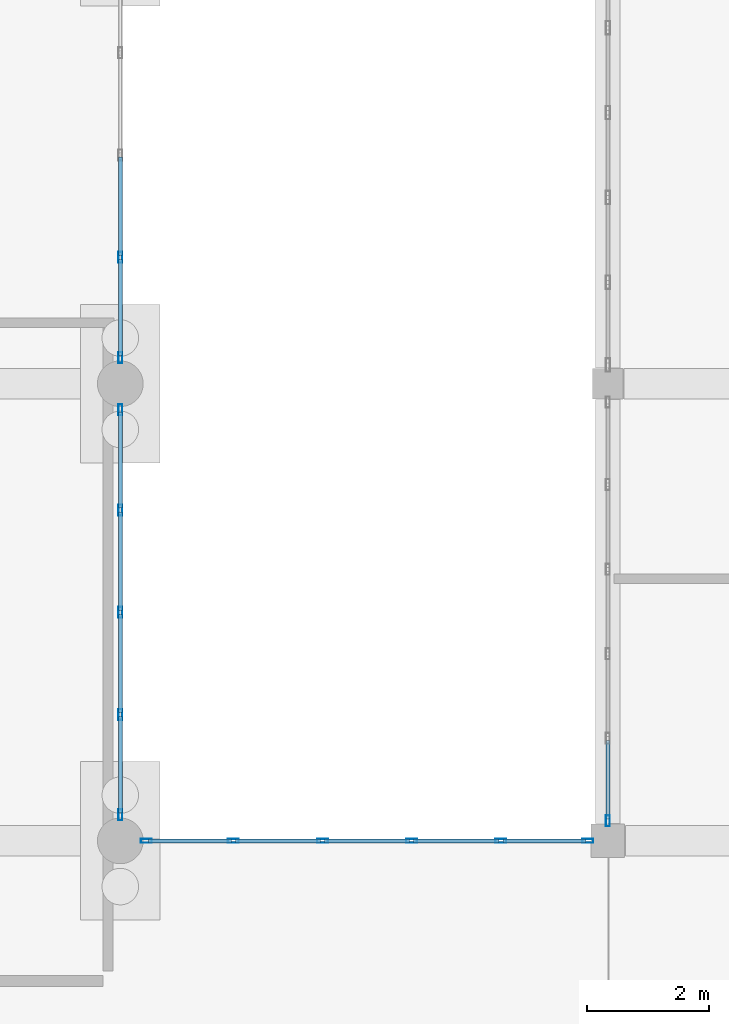
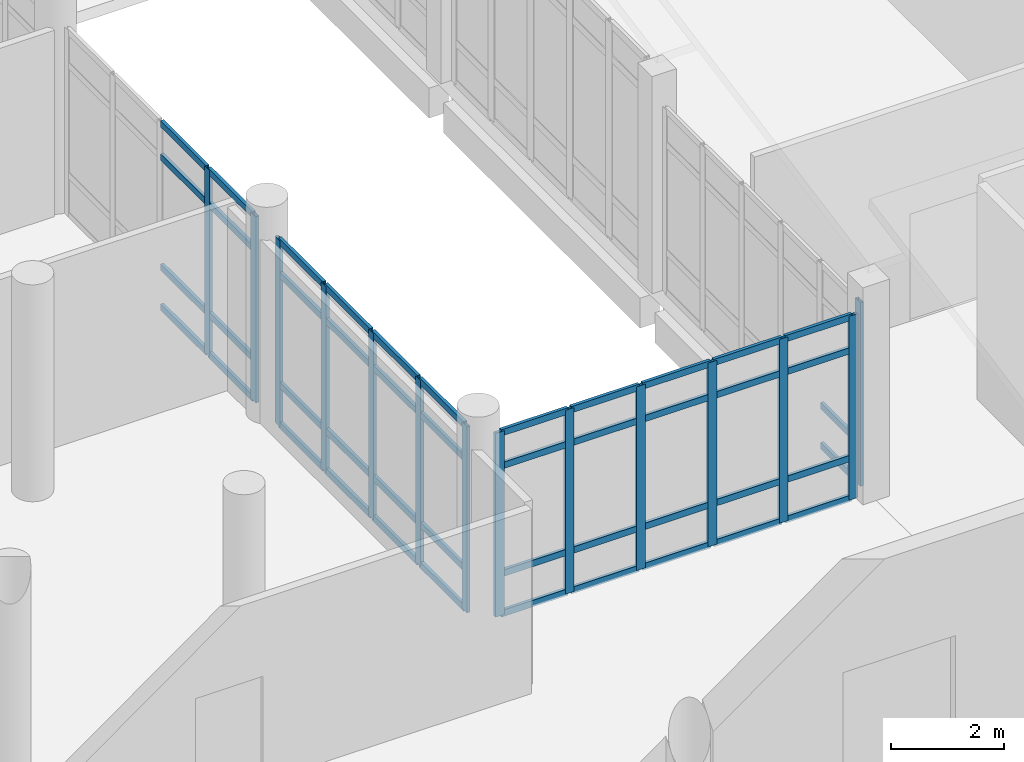
# One storey, part 54 of 173: 60 members, 4 elements without a shape of their own.
"""IFC4 building model written with IfcOpenShell, lengths in metres."""

from ifc_helpers import new_model, si_unit, direction, frame, origin, origin_2d, place, context, subcontext, project, spatial, hollow_rectangle, extrude, material, layer, layer_set, material_profile, profile_set, type_object, element, aggregate, save


model = new_model("IFC4")

# Units and contexts
model_context = context("Model", 3, precision=1e-05, world=origin(), true_north=direction((0.0, 1.0)))
body_context = subcontext(model_context, "Body", "Model", "MODEL_VIEW")
ifc_project = project(units=[si_unit("LENGTHUNIT", "METRE"), si_unit("AREAUNIT", "SQUARE_METRE"), si_unit("VOLUMEUNIT", "CUBIC_METRE"), si_unit("PLANEANGLEUNIT", "RADIAN"), si_unit("MASSUNIT", "GRAM", prefix="KILO")], contexts=[model_context])

# Site, building, storey
site_placement = place(None, origin())
site = spatial("IfcSite", under=ifc_project, at=site_placement, CompositionType="ELEMENT")
building_placement = place(site_placement, origin())
building = spatial("IfcBuilding", under=site, at=building_placement, Name="Mawjan Specialist Oncology Clinic", CompositionType="ELEMENT")
storey_placement = place(building_placement, origin())
storey = spatial("IfcBuildingStorey", under=building, at=storey_placement, Name="L00", CompositionType="ELEMENT", Elevation=0.0)

# Curtain wall, member
ifc_material_1 = material(Name="Unitised spectrally selective aluminium curtain wall", Category="aluminium")
ifc_layer_1 = layer(ifc_material_1, 0.179931640625, Name="Unitised spectrally selective aluminium curtain wall", Category="aluminium")
ifc_layer_set_1 = layer_set([ifc_layer_1], Name="Unitised spectrally selective aluminium curtain wall")
curtain_wall_type_1 = type_object("IfcCurtainWallType", Name="CW-30", PredefinedType="NOTDEFINED", material=ifc_layer_set_1)
curtain_wall_1_placement = place(storey_placement, origin())
curtain_wall_1 = element("IfcCurtainWall", 1, at=curtain_wall_1_placement, inside=storey, type_object=curtain_wall_type_1, Name="L00 Unitised Curtain Wall CW-L00-064", PredefinedType="NOTDEFINED")
ifc_material_2 = material(Name="Thermally broken aluminium 6063-T6", Category="aluminium")
ifc_material_profile_1 = material_profile(ifc_material_2, hollow_rectangle(XDim=0.06494140625, YDim=0.179931640625, WallThickness=0.00390625, at=origin_2d()), Name="ALU MULLION 180x65x4", Category="aluminium")
ifc_profile_set_1 = profile_set([ifc_material_profile_1], Name="Thermally broken aluminium 6063-T6")
member_type_1 = type_object("IfcMemberType", Name="CW-M180", PredefinedType="MULLION", material=ifc_profile_set_1)
member_1_placement = place(storey_placement, frame((116.0, 53.62744140625, 0.0), z_axis=(0.0, 0.0, 1.0), x_axis=(-1.0, 0.0, 0.0)))
member_1 = element("IfcMember", 2, at=member_1_placement, type_object=member_type_1, Name="CW-30 mullion 1", PredefinedType="MULLION", context=body_context, shape_type="SweptSolid", body=[
    extrude(hollow_rectangle(XDim=0.06494140625, YDim=0.179931640625, WallThickness=0.00390625, at=origin_2d()), origin(), (0.0, 0.0, 1.0), 3.985107421875),
])

# Curtain wall, members
ifc_material_3 = material(Name="Unitised spectrally selective aluminium curtain wall", Category="aluminium")
ifc_layer_2 = layer(ifc_material_3, 0.179931640625, Name="Unitised spectrally selective aluminium curtain wall", Category="aluminium")
ifc_layer_set_2 = layer_set([ifc_layer_2], Name="Unitised spectrally selective aluminium curtain wall")
curtain_wall_type_2 = type_object("IfcCurtainWallType", Name="CW-02", PredefinedType="NOTDEFINED", material=ifc_layer_set_2)
curtain_wall_2_placement = place(storey_placement, origin())
curtain_wall_2 = element("IfcCurtainWall", 3, at=curtain_wall_2_placement, inside=storey, type_object=curtain_wall_type_2, Name="L00 Unitised Curtain Wall CW-L00-068", PredefinedType="NOTDEFINED")
member_2_placement = place(storey_placement, frame((108.0, 62.87255859375, 0.0), z_axis=(0.0, 0.0, 1.0), x_axis=(1.0, 0.0, 0.0)))
member_2 = element("IfcMember", 4, at=member_2_placement, type_object=member_type_1, Name="CW-02 mullion 4", PredefinedType="MULLION", context=body_context, shape_type="SweptSolid", body=[
    extrude(hollow_rectangle(XDim=0.06494140625, YDim=0.179931640625, WallThickness=0.00390625, at=origin_2d()), origin(), (0.0, 0.0, 1.0), 4.034912109375),
])
member_3_placement = place(storey_placement, frame((108.0, 61.2275390625, 0.0), z_axis=(0.0, 0.0, 1.0), x_axis=(1.0, 0.0, 0.0)))
member_3 = element("IfcMember", 5, at=member_3_placement, type_object=member_type_1, Name="CW-02 mullion 5", PredefinedType="MULLION", context=body_context, shape_type="SweptSolid", body=[
    extrude(hollow_rectangle(XDim=0.06494140625, YDim=0.179931640625, WallThickness=0.00390625, at=origin_2d()), origin(), (0.0, 0.0, 1.0), 4.034912109375),
])

curtain_wall_3_placement = place(storey_placement, origin())
curtain_wall_3 = element("IfcCurtainWall", 6, at=curtain_wall_3_placement, inside=storey, type_object=curtain_wall_type_2, Name="L00 Unitised Curtain Wall CW-L00-069", PredefinedType="NOTDEFINED")
member_4_placement = place(storey_placement, frame((108.0, 60.37255859375, 0.0), z_axis=(0.0, 0.0, 1.0), x_axis=(1.0, 0.0, 0.0)))
member_4 = element("IfcMember", 7, at=member_4_placement, type_object=member_type_1, Name="CW-02 mullion 1", PredefinedType="MULLION", context=body_context, shape_type="SweptSolid", body=[
    extrude(hollow_rectangle(XDim=0.06494140625, YDim=0.179931640625, WallThickness=0.00390625, at=origin_2d()), origin(), (0.0, 0.0, 1.0), 4.034912109375),
])
member_5_placement = place(storey_placement, frame((108.0, 58.7275390625, 0.0), z_axis=(0.0, 0.0, 1.0), x_axis=(1.0, 0.0, 0.0)))
member_5 = element("IfcMember", 8, at=member_5_placement, type_object=member_type_1, Name="CW-02 mullion 2", PredefinedType="MULLION", context=body_context, shape_type="SweptSolid", body=[
    extrude(hollow_rectangle(XDim=0.06494140625, YDim=0.179931640625, WallThickness=0.00390625, at=origin_2d()), origin(), (0.0, 0.0, 1.0), 4.034912109375),
])
member_6_placement = place(storey_placement, frame((108.0, 57.050048828125, 0.0), z_axis=(0.0, 0.0, 1.0), x_axis=(1.0, 0.0, 0.0)))
member_6 = element("IfcMember", 9, at=member_6_placement, type_object=member_type_1, Name="CW-02 mullion 3", PredefinedType="MULLION", context=body_context, shape_type="SweptSolid", body=[
    extrude(hollow_rectangle(XDim=0.06494140625, YDim=0.179931640625, WallThickness=0.00390625, at=origin_2d()), origin(), (0.0, 0.0, 1.0), 4.034912109375),
])
member_7_placement = place(storey_placement, frame((108.0, 55.37255859375, 0.0), z_axis=(0.0, 0.0, 1.0), x_axis=(1.0, 0.0, 0.0)))
member_7 = element("IfcMember", 10, at=member_7_placement, type_object=member_type_1, Name="CW-02 mullion 4", PredefinedType="MULLION", context=body_context, shape_type="SweptSolid", body=[
    extrude(hollow_rectangle(XDim=0.06494140625, YDim=0.179931640625, WallThickness=0.00390625, at=origin_2d()), origin(), (0.0, 0.0, 1.0), 4.034912109375),
])
member_8_placement = place(storey_placement, frame((108.0, 53.7275390625, 0.0), z_axis=(0.0, 0.0, 1.0), x_axis=(1.0, 0.0, 0.0)))
member_8 = element("IfcMember", 11, at=member_8_placement, type_object=member_type_1, Name="CW-02 mullion 5", PredefinedType="MULLION", context=body_context, shape_type="SweptSolid", body=[
    extrude(hollow_rectangle(XDim=0.06494140625, YDim=0.179931640625, WallThickness=0.00390625, at=origin_2d()), origin(), (0.0, 0.0, 1.0), 4.034912109375),
])

ifc_material_4 = material(Name="Unitised spectrally selective aluminium curtain wall", Category="aluminium")
ifc_layer_3 = layer(ifc_material_4, 0.179931640625, Name="Unitised spectrally selective aluminium curtain wall", Category="aluminium")
ifc_layer_set_3 = layer_set([ifc_layer_3], Name="Unitised spectrally selective aluminium curtain wall")
curtain_wall_type_3 = type_object("IfcCurtainWallType", Name="CW-31", PredefinedType="NOTDEFINED", material=ifc_layer_set_3)
curtain_wall_4_placement = place(storey_placement, origin())
curtain_wall_4 = element("IfcCurtainWall", 12, at=curtain_wall_4_placement, inside=storey, type_object=curtain_wall_type_3, Name="L00 Unitised Curtain Wall CW-L00-070", PredefinedType="NOTDEFINED")
member_9_placement = place(storey_placement, frame((108.427490234375, 53.300048828125, 0.0), z_axis=(0.0, 0.0, 1.0), x_axis=(0.0, 1.0, 0.0)))
member_9 = element("IfcMember", 13, at=member_9_placement, type_object=member_type_1, Name="CW-31 mullion 1", PredefinedType="MULLION", context=body_context, shape_type="SweptSolid", body=[
    extrude(hollow_rectangle(XDim=0.06494140625, YDim=0.179931640625, WallThickness=0.00390625, at=origin_2d()), origin(), (0.0, 0.0, 1.0), 3.985107421875),
])
member_10_placement = place(storey_placement, frame((109.85693359375, 53.300048828125, 0.0), z_axis=(0.0, 0.0, 1.0), x_axis=(0.0, 1.0, 0.0)))
member_10 = element("IfcMember", 14, at=member_10_placement, type_object=member_type_1, Name="CW-31 mullion 2", PredefinedType="MULLION", context=body_context, shape_type="SweptSolid", body=[
    extrude(hollow_rectangle(XDim=0.06494140625, YDim=0.179931640625, WallThickness=0.00390625, at=origin_2d()), origin(), (0.0, 0.0, 1.0), 3.985107421875),
])
member_11_placement = place(storey_placement, frame((111.319091796875, 53.300048828125, 0.0), z_axis=(0.0, 0.0, 1.0), x_axis=(0.0, 1.0, 0.0)))
member_11 = element("IfcMember", 15, at=member_11_placement, type_object=member_type_1, Name="CW-31 mullion 3", PredefinedType="MULLION", context=body_context, shape_type="SweptSolid", body=[
    extrude(hollow_rectangle(XDim=0.06494140625, YDim=0.179931640625, WallThickness=0.00390625, at=origin_2d()), origin(), (0.0, 0.0, 1.0), 3.985107421875),
])
member_12_placement = place(storey_placement, frame((112.781005859375, 53.300048828125, 0.0), z_axis=(0.0, 0.0, 1.0), x_axis=(0.0, 1.0, 0.0)))
member_12 = element("IfcMember", 16, at=member_12_placement, type_object=member_type_1, Name="CW-31 mullion 4", PredefinedType="MULLION", context=body_context, shape_type="SweptSolid", body=[
    extrude(hollow_rectangle(XDim=0.06494140625, YDim=0.179931640625, WallThickness=0.00390625, at=origin_2d()), origin(), (0.0, 0.0, 1.0), 3.985107421875),
])
member_13_placement = place(storey_placement, frame((114.242919921875, 53.300048828125, 0.0), z_axis=(0.0, 0.0, 1.0), x_axis=(0.0, 1.0, 0.0)))
member_13 = element("IfcMember", 17, at=member_13_placement, type_object=member_type_1, Name="CW-31 mullion 5", PredefinedType="MULLION", context=body_context, shape_type="SweptSolid", body=[
    extrude(hollow_rectangle(XDim=0.06494140625, YDim=0.179931640625, WallThickness=0.00390625, at=origin_2d()), origin(), (0.0, 0.0, 1.0), 3.985107421875),
])
member_14_placement = place(storey_placement, frame((115.672607421875, 53.300048828125, 0.0), z_axis=(0.0, 0.0, 1.0), x_axis=(0.0, 1.0, 0.0)))
member_14 = element("IfcMember", 18, at=member_14_placement, type_object=member_type_1, Name="CW-31 mullion 6", PredefinedType="MULLION", context=body_context, shape_type="SweptSolid", body=[
    extrude(hollow_rectangle(XDim=0.06494140625, YDim=0.179931640625, WallThickness=0.00390625, at=origin_2d()), origin(), (0.0, 0.0, 1.0), 3.985107421875),
])

# Member
ifc_material_5 = material(Name="Thermally broken aluminium 6063-T6", Category="aluminium")
ifc_material_profile_2 = material_profile(ifc_material_5, hollow_rectangle(XDim=0.06494140625, YDim=0.139892578125, WallThickness=0.00390625, at=origin_2d()), Name="ALU TRANSOM 140x65x4", Category="aluminium")
ifc_profile_set_2 = profile_set([ifc_material_profile_2], Name="Thermally broken aluminium 6063-T6")
member_type_2 = type_object("IfcMemberType", Name="CW-T140", PredefinedType="USERDEFINED", material=ifc_profile_set_2)
member_15_placement = place(storey_placement, frame((116.0, 53.659912109375, 0.032470703125), z_axis=(0.0, 1.0, 0.0), x_axis=(-1.0, 0.0, 0.0)))
member_15 = element("IfcMember", 19, at=member_15_placement, type_object=member_type_2, Name="CW-30 transom 1.1", ObjectType="TRANSOM", PredefinedType="USERDEFINED", context=body_context, shape_type="SweptSolid", body=[
    extrude(hollow_rectangle(XDim=0.06494140625, YDim=0.139892578125, WallThickness=0.00390625, at=origin_2d()), origin(), (0.0, 0.0, 1.0), 1.28955078125),
])

member_16_placement = place(storey_placement, frame((116.0, 53.659912109375, 0.89990234375), z_axis=(0.0, 1.0, 0.0), x_axis=(-1.0, 0.0, 0.0)))
member_16 = element("IfcMember", 20, at=member_16_placement, type_object=member_type_2, Name="CW-30 transom 1.2", ObjectType="TRANSOM", PredefinedType="USERDEFINED", context=body_context, shape_type="SweptSolid", body=[
    extrude(hollow_rectangle(XDim=0.06494140625, YDim=0.139892578125, WallThickness=0.00390625, at=origin_2d()), origin(), (0.0, 0.0, 1.0), 1.28955078125),
])

aggregate(curtain_wall_1, [member_1, member_15, member_16])

member_17_placement = place(storey_placement, frame((108.0, 64.517578125, 0.032470703125), z_axis=(0.0, -1.0, 0.0), x_axis=(1.0, 0.0, 0.0)))
member_17 = element("IfcMember", 21, at=member_17_placement, type_object=member_type_2, Name="CW-02 transom 3.1", ObjectType="TRANSOM", PredefinedType="USERDEFINED", context=body_context, shape_type="SweptSolid", body=[
    extrude(hollow_rectangle(XDim=0.06494140625, YDim=0.139892578125, WallThickness=0.00390625, at=origin_2d()), origin(), (0.0, 0.0, 1.0), 1.612548828125),
])

member_18_placement = place(storey_placement, frame((108.0, 64.517578125, 0.89990234375), z_axis=(0.0, -1.0, 0.0), x_axis=(1.0, 0.0, 0.0)))
member_18 = element("IfcMember", 22, at=member_18_placement, type_object=member_type_2, Name="CW-02 transom 3.2", ObjectType="TRANSOM", PredefinedType="USERDEFINED", context=body_context, shape_type="SweptSolid", body=[
    extrude(hollow_rectangle(XDim=0.06494140625, YDim=0.139892578125, WallThickness=0.00390625, at=origin_2d()), origin(), (0.0, 0.0, 1.0), 1.612548828125),
])

member_19_placement = place(storey_placement, frame((108.0, 64.517578125, 3.284912109375), z_axis=(0.0, -1.0, 0.0), x_axis=(1.0, 0.0, 0.0)))
member_19 = element("IfcMember", 23, at=member_19_placement, type_object=member_type_2, Name="CW-02 transom 3.3", ObjectType="TRANSOM", PredefinedType="USERDEFINED", context=body_context, shape_type="SweptSolid", body=[
    extrude(hollow_rectangle(XDim=0.06494140625, YDim=0.139892578125, WallThickness=0.00390625, at=origin_2d()), origin(), (0.0, 0.0, 1.0), 1.612548828125),
])

member_20_placement = place(storey_placement, frame((108.0, 64.517578125, 4.00244140625), z_axis=(0.0, -1.0, 0.0), x_axis=(1.0, 0.0, 0.0)))
member_20 = element("IfcMember", 24, at=member_20_placement, type_object=member_type_2, Name="CW-02 transom 3.4", ObjectType="TRANSOM", PredefinedType="USERDEFINED", context=body_context, shape_type="SweptSolid", body=[
    extrude(hollow_rectangle(XDim=0.06494140625, YDim=0.139892578125, WallThickness=0.00390625, at=origin_2d()), origin(), (0.0, 0.0, 1.0), 1.612548828125),
])

member_21_placement = place(storey_placement, frame((108.0, 62.840087890625, 0.032470703125), z_axis=(0.0, -1.0, 0.0), x_axis=(1.0, 0.0, 0.0)))
member_21 = element("IfcMember", 25, at=member_21_placement, type_object=member_type_2, Name="CW-02 transom 4.1", ObjectType="TRANSOM", PredefinedType="USERDEFINED", context=body_context, shape_type="SweptSolid", body=[
    extrude(hollow_rectangle(XDim=0.06494140625, YDim=0.139892578125, WallThickness=0.00390625, at=origin_2d()), origin(), (0.0, 0.0, 1.0), 1.580078125),
])

member_22_placement = place(storey_placement, frame((108.0, 62.840087890625, 0.89990234375), z_axis=(0.0, -1.0, 0.0), x_axis=(1.0, 0.0, 0.0)))
member_22 = element("IfcMember", 26, at=member_22_placement, type_object=member_type_2, Name="CW-02 transom 4.2", ObjectType="TRANSOM", PredefinedType="USERDEFINED", context=body_context, shape_type="SweptSolid", body=[
    extrude(hollow_rectangle(XDim=0.06494140625, YDim=0.139892578125, WallThickness=0.00390625, at=origin_2d()), origin(), (0.0, 0.0, 1.0), 1.580078125),
])

member_23_placement = place(storey_placement, frame((108.0, 62.840087890625, 3.284912109375), z_axis=(0.0, -1.0, 0.0), x_axis=(1.0, 0.0, 0.0)))
member_23 = element("IfcMember", 27, at=member_23_placement, type_object=member_type_2, Name="CW-02 transom 4.3", ObjectType="TRANSOM", PredefinedType="USERDEFINED", context=body_context, shape_type="SweptSolid", body=[
    extrude(hollow_rectangle(XDim=0.06494140625, YDim=0.139892578125, WallThickness=0.00390625, at=origin_2d()), origin(), (0.0, 0.0, 1.0), 1.580078125),
])

member_24_placement = place(storey_placement, frame((108.0, 62.840087890625, 4.00244140625), z_axis=(0.0, -1.0, 0.0), x_axis=(1.0, 0.0, 0.0)))
member_24 = element("IfcMember", 28, at=member_24_placement, type_object=member_type_2, Name="CW-02 transom 4.4", ObjectType="TRANSOM", PredefinedType="USERDEFINED", context=body_context, shape_type="SweptSolid", body=[
    extrude(hollow_rectangle(XDim=0.06494140625, YDim=0.139892578125, WallThickness=0.00390625, at=origin_2d()), origin(), (0.0, 0.0, 1.0), 1.580078125),
])

aggregate(curtain_wall_2, [member_2, member_3, member_17, member_18, member_19, member_20, member_21, member_22, member_23, member_24])

member_25_placement = place(storey_placement, frame((108.0, 60.340087890625, 0.032470703125), z_axis=(0.0, -1.0, 0.0), x_axis=(1.0, 0.0, 0.0)))
member_25 = element("IfcMember", 29, at=member_25_placement, type_object=member_type_2, Name="CW-02 transom 1.1", ObjectType="TRANSOM", PredefinedType="USERDEFINED", context=body_context, shape_type="SweptSolid", body=[
    extrude(hollow_rectangle(XDim=0.06494140625, YDim=0.139892578125, WallThickness=0.00390625, at=origin_2d()), origin(), (0.0, 0.0, 1.0), 1.580078125),
])

member_26_placement = place(storey_placement, frame((108.0, 60.340087890625, 0.89990234375), z_axis=(0.0, -1.0, 0.0), x_axis=(1.0, 0.0, 0.0)))
member_26 = element("IfcMember", 30, at=member_26_placement, type_object=member_type_2, Name="CW-02 transom 1.2", ObjectType="TRANSOM", PredefinedType="USERDEFINED", context=body_context, shape_type="SweptSolid", body=[
    extrude(hollow_rectangle(XDim=0.06494140625, YDim=0.139892578125, WallThickness=0.00390625, at=origin_2d()), origin(), (0.0, 0.0, 1.0), 1.580078125),
])

member_27_placement = place(storey_placement, frame((108.0, 60.340087890625, 3.284912109375), z_axis=(0.0, -1.0, 0.0), x_axis=(1.0, 0.0, 0.0)))
member_27 = element("IfcMember", 31, at=member_27_placement, type_object=member_type_2, Name="CW-02 transom 1.3", ObjectType="TRANSOM", PredefinedType="USERDEFINED", context=body_context, shape_type="SweptSolid", body=[
    extrude(hollow_rectangle(XDim=0.06494140625, YDim=0.139892578125, WallThickness=0.00390625, at=origin_2d()), origin(), (0.0, 0.0, 1.0), 1.580078125),
])

member_28_placement = place(storey_placement, frame((108.0, 60.340087890625, 4.00244140625), z_axis=(0.0, -1.0, 0.0), x_axis=(1.0, 0.0, 0.0)))
member_28 = element("IfcMember", 32, at=member_28_placement, type_object=member_type_2, Name="CW-02 transom 1.4", ObjectType="TRANSOM", PredefinedType="USERDEFINED", context=body_context, shape_type="SweptSolid", body=[
    extrude(hollow_rectangle(XDim=0.06494140625, YDim=0.139892578125, WallThickness=0.00390625, at=origin_2d()), origin(), (0.0, 0.0, 1.0), 1.580078125),
])

member_29_placement = place(storey_placement, frame((108.0, 58.695068359375, 0.032470703125), z_axis=(0.0, -1.0, 0.0), x_axis=(1.0, 0.0, 0.0)))
member_29 = element("IfcMember", 33, at=member_29_placement, type_object=member_type_2, Name="CW-02 transom 2.1", ObjectType="TRANSOM", PredefinedType="USERDEFINED", context=body_context, shape_type="SweptSolid", body=[
    extrude(hollow_rectangle(XDim=0.06494140625, YDim=0.139892578125, WallThickness=0.00390625, at=origin_2d()), origin(), (0.0, 0.0, 1.0), 1.612548828125),
])

member_30_placement = place(storey_placement, frame((108.0, 58.695068359375, 0.89990234375), z_axis=(0.0, -1.0, 0.0), x_axis=(1.0, 0.0, 0.0)))
member_30 = element("IfcMember", 34, at=member_30_placement, type_object=member_type_2, Name="CW-02 transom 2.2", ObjectType="TRANSOM", PredefinedType="USERDEFINED", context=body_context, shape_type="SweptSolid", body=[
    extrude(hollow_rectangle(XDim=0.06494140625, YDim=0.139892578125, WallThickness=0.00390625, at=origin_2d()), origin(), (0.0, 0.0, 1.0), 1.612548828125),
])

member_31_placement = place(storey_placement, frame((108.0, 58.695068359375, 3.284912109375), z_axis=(0.0, -1.0, 0.0), x_axis=(1.0, 0.0, 0.0)))
member_31 = element("IfcMember", 35, at=member_31_placement, type_object=member_type_2, Name="CW-02 transom 2.3", ObjectType="TRANSOM", PredefinedType="USERDEFINED", context=body_context, shape_type="SweptSolid", body=[
    extrude(hollow_rectangle(XDim=0.06494140625, YDim=0.139892578125, WallThickness=0.00390625, at=origin_2d()), origin(), (0.0, 0.0, 1.0), 1.612548828125),
])

member_32_placement = place(storey_placement, frame((108.0, 58.695068359375, 4.00244140625), z_axis=(0.0, -1.0, 0.0), x_axis=(1.0, 0.0, 0.0)))
member_32 = element("IfcMember", 36, at=member_32_placement, type_object=member_type_2, Name="CW-02 transom 2.4", ObjectType="TRANSOM", PredefinedType="USERDEFINED", context=body_context, shape_type="SweptSolid", body=[
    extrude(hollow_rectangle(XDim=0.06494140625, YDim=0.139892578125, WallThickness=0.00390625, at=origin_2d()), origin(), (0.0, 0.0, 1.0), 1.612548828125),
])

member_33_placement = place(storey_placement, frame((108.0, 57.017578125, 0.032470703125), z_axis=(0.0, -1.0, 0.0), x_axis=(1.0, 0.0, 0.0)))
member_33 = element("IfcMember", 37, at=member_33_placement, type_object=member_type_2, Name="CW-02 transom 3.1", ObjectType="TRANSOM", PredefinedType="USERDEFINED", context=body_context, shape_type="SweptSolid", body=[
    extrude(hollow_rectangle(XDim=0.06494140625, YDim=0.139892578125, WallThickness=0.00390625, at=origin_2d()), origin(), (0.0, 0.0, 1.0), 1.612548828125),
])

member_34_placement = place(storey_placement, frame((108.0, 57.017578125, 0.89990234375), z_axis=(0.0, -1.0, 0.0), x_axis=(1.0, 0.0, 0.0)))
member_34 = element("IfcMember", 38, at=member_34_placement, type_object=member_type_2, Name="CW-02 transom 3.2", ObjectType="TRANSOM", PredefinedType="USERDEFINED", context=body_context, shape_type="SweptSolid", body=[
    extrude(hollow_rectangle(XDim=0.06494140625, YDim=0.139892578125, WallThickness=0.00390625, at=origin_2d()), origin(), (0.0, 0.0, 1.0), 1.612548828125),
])

member_35_placement = place(storey_placement, frame((108.0, 57.017578125, 3.284912109375), z_axis=(0.0, -1.0, 0.0), x_axis=(1.0, 0.0, 0.0)))
member_35 = element("IfcMember", 39, at=member_35_placement, type_object=member_type_2, Name="CW-02 transom 3.3", ObjectType="TRANSOM", PredefinedType="USERDEFINED", context=body_context, shape_type="SweptSolid", body=[
    extrude(hollow_rectangle(XDim=0.06494140625, YDim=0.139892578125, WallThickness=0.00390625, at=origin_2d()), origin(), (0.0, 0.0, 1.0), 1.612548828125),
])

member_36_placement = place(storey_placement, frame((108.0, 57.017578125, 4.00244140625), z_axis=(0.0, -1.0, 0.0), x_axis=(1.0, 0.0, 0.0)))
member_36 = element("IfcMember", 40, at=member_36_placement, type_object=member_type_2, Name="CW-02 transom 3.4", ObjectType="TRANSOM", PredefinedType="USERDEFINED", context=body_context, shape_type="SweptSolid", body=[
    extrude(hollow_rectangle(XDim=0.06494140625, YDim=0.139892578125, WallThickness=0.00390625, at=origin_2d()), origin(), (0.0, 0.0, 1.0), 1.612548828125),
])

member_37_placement = place(storey_placement, frame((108.0, 55.340087890625, 0.032470703125), z_axis=(0.0, -1.0, 0.0), x_axis=(1.0, 0.0, 0.0)))
member_37 = element("IfcMember", 41, at=member_37_placement, type_object=member_type_2, Name="CW-02 transom 4.1", ObjectType="TRANSOM", PredefinedType="USERDEFINED", context=body_context, shape_type="SweptSolid", body=[
    extrude(hollow_rectangle(XDim=0.06494140625, YDim=0.139892578125, WallThickness=0.00390625, at=origin_2d()), origin(), (0.0, 0.0, 1.0), 1.580078125),
])

member_38_placement = place(storey_placement, frame((108.0, 55.340087890625, 0.89990234375), z_axis=(0.0, -1.0, 0.0), x_axis=(1.0, 0.0, 0.0)))
member_38 = element("IfcMember", 42, at=member_38_placement, type_object=member_type_2, Name="CW-02 transom 4.2", ObjectType="TRANSOM", PredefinedType="USERDEFINED", context=body_context, shape_type="SweptSolid", body=[
    extrude(hollow_rectangle(XDim=0.06494140625, YDim=0.139892578125, WallThickness=0.00390625, at=origin_2d()), origin(), (0.0, 0.0, 1.0), 1.580078125),
])

member_39_placement = place(storey_placement, frame((108.0, 55.340087890625, 3.284912109375), z_axis=(0.0, -1.0, 0.0), x_axis=(1.0, 0.0, 0.0)))
member_39 = element("IfcMember", 43, at=member_39_placement, type_object=member_type_2, Name="CW-02 transom 4.3", ObjectType="TRANSOM", PredefinedType="USERDEFINED", context=body_context, shape_type="SweptSolid", body=[
    extrude(hollow_rectangle(XDim=0.06494140625, YDim=0.139892578125, WallThickness=0.00390625, at=origin_2d()), origin(), (0.0, 0.0, 1.0), 1.580078125),
])

member_40_placement = place(storey_placement, frame((108.0, 55.340087890625, 4.00244140625), z_axis=(0.0, -1.0, 0.0), x_axis=(1.0, 0.0, 0.0)))
member_40 = element("IfcMember", 44, at=member_40_placement, type_object=member_type_2, Name="CW-02 transom 4.4", ObjectType="TRANSOM", PredefinedType="USERDEFINED", context=body_context, shape_type="SweptSolid", body=[
    extrude(hollow_rectangle(XDim=0.06494140625, YDim=0.139892578125, WallThickness=0.00390625, at=origin_2d()), origin(), (0.0, 0.0, 1.0), 1.580078125),
])

aggregate(curtain_wall_3, [member_4, member_5, member_6, member_7, member_8, member_25, member_26, member_27, member_28, member_29, member_30, member_31, member_32, member_33, member_34, member_35, member_36, member_37, member_38, member_39, member_40])

member_41_placement = place(storey_placement, frame((108.4599609375, 53.300048828125, 0.032470703125), z_axis=(1.0, 0.0, 0.0), x_axis=(0.0, 1.0, 0.0)))
member_41 = element("IfcMember", 45, at=member_41_placement, type_object=member_type_2, Name="CW-31 transom 1.1", ObjectType="TRANSOM", PredefinedType="USERDEFINED", context=body_context, shape_type="SweptSolid", body=[
    extrude(hollow_rectangle(XDim=0.06494140625, YDim=0.139892578125, WallThickness=0.00390625, at=origin_2d()), origin(), (0.0, 0.0, 1.0), 1.364501953125),
])

member_42_placement = place(storey_placement, frame((108.4599609375, 53.300048828125, 0.89990234375), z_axis=(1.0, 0.0, 0.0), x_axis=(0.0, 1.0, 0.0)))
member_42 = element("IfcMember", 46, at=member_42_placement, type_object=member_type_2, Name="CW-31 transom 1.2", ObjectType="TRANSOM", PredefinedType="USERDEFINED", context=body_context, shape_type="SweptSolid", body=[
    extrude(hollow_rectangle(XDim=0.06494140625, YDim=0.139892578125, WallThickness=0.00390625, at=origin_2d()), origin(), (0.0, 0.0, 1.0), 1.364501953125),
])

member_43_placement = place(storey_placement, frame((108.4599609375, 53.300048828125, 3.235107421875), z_axis=(1.0, 0.0, 0.0), x_axis=(0.0, 1.0, 0.0)))
member_43 = element("IfcMember", 47, at=member_43_placement, type_object=member_type_2, Name="CW-31 transom 1.3", ObjectType="TRANSOM", PredefinedType="USERDEFINED", context=body_context, shape_type="SweptSolid", body=[
    extrude(hollow_rectangle(XDim=0.06494140625, YDim=0.139892578125, WallThickness=0.00390625, at=origin_2d()), origin(), (0.0, 0.0, 1.0), 1.364501953125),
])

member_44_placement = place(storey_placement, frame((108.4599609375, 53.300048828125, 3.952392578125), z_axis=(1.0, 0.0, 0.0), x_axis=(0.0, 1.0, 0.0)))
member_44 = element("IfcMember", 48, at=member_44_placement, type_object=member_type_2, Name="CW-31 transom 1.4", ObjectType="TRANSOM", PredefinedType="USERDEFINED", context=body_context, shape_type="SweptSolid", body=[
    extrude(hollow_rectangle(XDim=0.06494140625, YDim=0.139892578125, WallThickness=0.00390625, at=origin_2d()), origin(), (0.0, 0.0, 1.0), 1.364501953125),
])

member_45_placement = place(storey_placement, frame((109.889404296875, 53.300048828125, 0.032470703125), z_axis=(1.0, 0.0, 0.0), x_axis=(0.0, 1.0, 0.0)))
member_45 = element("IfcMember", 49, at=member_45_placement, type_object=member_type_2, Name="CW-31 transom 2.1", ObjectType="TRANSOM", PredefinedType="USERDEFINED", context=body_context, shape_type="SweptSolid", body=[
    extrude(hollow_rectangle(XDim=0.06494140625, YDim=0.139892578125, WallThickness=0.00390625, at=origin_2d()), origin(), (0.0, 0.0, 1.0), 1.397216796875),
])

member_46_placement = place(storey_placement, frame((109.889404296875, 53.300048828125, 0.89990234375), z_axis=(1.0, 0.0, 0.0), x_axis=(0.0, 1.0, 0.0)))
member_46 = element("IfcMember", 50, at=member_46_placement, type_object=member_type_2, Name="CW-31 transom 2.2", ObjectType="TRANSOM", PredefinedType="USERDEFINED", context=body_context, shape_type="SweptSolid", body=[
    extrude(hollow_rectangle(XDim=0.06494140625, YDim=0.139892578125, WallThickness=0.00390625, at=origin_2d()), origin(), (0.0, 0.0, 1.0), 1.397216796875),
])

member_47_placement = place(storey_placement, frame((109.889404296875, 53.300048828125, 3.235107421875), z_axis=(1.0, 0.0, 0.0), x_axis=(0.0, 1.0, 0.0)))
member_47 = element("IfcMember", 51, at=member_47_placement, type_object=member_type_2, Name="CW-31 transom 2.3", ObjectType="TRANSOM", PredefinedType="USERDEFINED", context=body_context, shape_type="SweptSolid", body=[
    extrude(hollow_rectangle(XDim=0.06494140625, YDim=0.139892578125, WallThickness=0.00390625, at=origin_2d()), origin(), (0.0, 0.0, 1.0), 1.397216796875),
])

member_48_placement = place(storey_placement, frame((109.889404296875, 53.300048828125, 3.952392578125), z_axis=(1.0, 0.0, 0.0), x_axis=(0.0, 1.0, 0.0)))
member_48 = element("IfcMember", 52, at=member_48_placement, type_object=member_type_2, Name="CW-31 transom 2.4", ObjectType="TRANSOM", PredefinedType="USERDEFINED", context=body_context, shape_type="SweptSolid", body=[
    extrude(hollow_rectangle(XDim=0.06494140625, YDim=0.139892578125, WallThickness=0.00390625, at=origin_2d()), origin(), (0.0, 0.0, 1.0), 1.397216796875),
])

member_49_placement = place(storey_placement, frame((111.3515625, 53.300048828125, 0.032470703125), z_axis=(1.0, 0.0, 0.0), x_axis=(0.0, 1.0, 0.0)))
member_49 = element("IfcMember", 53, at=member_49_placement, type_object=member_type_2, Name="CW-31 transom 3.1", ObjectType="TRANSOM", PredefinedType="USERDEFINED", context=body_context, shape_type="SweptSolid", body=[
    extrude(hollow_rectangle(XDim=0.06494140625, YDim=0.139892578125, WallThickness=0.00390625, at=origin_2d()), origin(), (0.0, 0.0, 1.0), 1.39697265625),
])

member_50_placement = place(storey_placement, frame((111.3515625, 53.300048828125, 0.89990234375), z_axis=(1.0, 0.0, 0.0), x_axis=(0.0, 1.0, 0.0)))
member_50 = element("IfcMember", 54, at=member_50_placement, type_object=member_type_2, Name="CW-31 transom 3.2", ObjectType="TRANSOM", PredefinedType="USERDEFINED", context=body_context, shape_type="SweptSolid", body=[
    extrude(hollow_rectangle(XDim=0.06494140625, YDim=0.139892578125, WallThickness=0.00390625, at=origin_2d()), origin(), (0.0, 0.0, 1.0), 1.39697265625),
])

member_51_placement = place(storey_placement, frame((111.3515625, 53.300048828125, 3.235107421875), z_axis=(1.0, 0.0, 0.0), x_axis=(0.0, 1.0, 0.0)))
member_51 = element("IfcMember", 55, at=member_51_placement, type_object=member_type_2, Name="CW-31 transom 3.3", ObjectType="TRANSOM", PredefinedType="USERDEFINED", context=body_context, shape_type="SweptSolid", body=[
    extrude(hollow_rectangle(XDim=0.06494140625, YDim=0.139892578125, WallThickness=0.00390625, at=origin_2d()), origin(), (0.0, 0.0, 1.0), 1.39697265625),
])

member_52_placement = place(storey_placement, frame((111.3515625, 53.300048828125, 3.952392578125), z_axis=(1.0, 0.0, 0.0), x_axis=(0.0, 1.0, 0.0)))
member_52 = element("IfcMember", 56, at=member_52_placement, type_object=member_type_2, Name="CW-31 transom 3.4", ObjectType="TRANSOM", PredefinedType="USERDEFINED", context=body_context, shape_type="SweptSolid", body=[
    extrude(hollow_rectangle(XDim=0.06494140625, YDim=0.139892578125, WallThickness=0.00390625, at=origin_2d()), origin(), (0.0, 0.0, 1.0), 1.39697265625),
])

member_53_placement = place(storey_placement, frame((112.8134765625, 53.300048828125, 0.032470703125), z_axis=(1.0, 0.0, 0.0), x_axis=(0.0, 1.0, 0.0)))
member_53 = element("IfcMember", 57, at=member_53_placement, type_object=member_type_2, Name="CW-31 transom 4.1", ObjectType="TRANSOM", PredefinedType="USERDEFINED", context=body_context, shape_type="SweptSolid", body=[
    extrude(hollow_rectangle(XDim=0.06494140625, YDim=0.139892578125, WallThickness=0.00390625, at=origin_2d()), origin(), (0.0, 0.0, 1.0), 1.39697265625),
])

member_54_placement = place(storey_placement, frame((112.8134765625, 53.300048828125, 0.89990234375), z_axis=(1.0, 0.0, 0.0), x_axis=(0.0, 1.0, 0.0)))
member_54 = element("IfcMember", 58, at=member_54_placement, type_object=member_type_2, Name="CW-31 transom 4.2", ObjectType="TRANSOM", PredefinedType="USERDEFINED", context=body_context, shape_type="SweptSolid", body=[
    extrude(hollow_rectangle(XDim=0.06494140625, YDim=0.139892578125, WallThickness=0.00390625, at=origin_2d()), origin(), (0.0, 0.0, 1.0), 1.39697265625),
])

member_55_placement = place(storey_placement, frame((112.8134765625, 53.300048828125, 3.235107421875), z_axis=(1.0, 0.0, 0.0), x_axis=(0.0, 1.0, 0.0)))
member_55 = element("IfcMember", 59, at=member_55_placement, type_object=member_type_2, Name="CW-31 transom 4.3", ObjectType="TRANSOM", PredefinedType="USERDEFINED", context=body_context, shape_type="SweptSolid", body=[
    extrude(hollow_rectangle(XDim=0.06494140625, YDim=0.139892578125, WallThickness=0.00390625, at=origin_2d()), origin(), (0.0, 0.0, 1.0), 1.39697265625),
])

member_56_placement = place(storey_placement, frame((112.8134765625, 53.300048828125, 3.952392578125), z_axis=(1.0, 0.0, 0.0), x_axis=(0.0, 1.0, 0.0)))
member_56 = element("IfcMember", 60, at=member_56_placement, type_object=member_type_2, Name="CW-31 transom 4.4", ObjectType="TRANSOM", PredefinedType="USERDEFINED", context=body_context, shape_type="SweptSolid", body=[
    extrude(hollow_rectangle(XDim=0.06494140625, YDim=0.139892578125, WallThickness=0.00390625, at=origin_2d()), origin(), (0.0, 0.0, 1.0), 1.39697265625),
])

member_57_placement = place(storey_placement, frame((114.275390625, 53.300048828125, 0.032470703125), z_axis=(1.0, 0.0, 0.0), x_axis=(0.0, 1.0, 0.0)))
member_57 = element("IfcMember", 61, at=member_57_placement, type_object=member_type_2, Name="CW-31 transom 5.1", ObjectType="TRANSOM", PredefinedType="USERDEFINED", context=body_context, shape_type="SweptSolid", body=[
    extrude(hollow_rectangle(XDim=0.06494140625, YDim=0.139892578125, WallThickness=0.00390625, at=origin_2d()), origin(), (0.0, 0.0, 1.0), 1.364501953125),
])

member_58_placement = place(storey_placement, frame((114.275390625, 53.300048828125, 0.89990234375), z_axis=(1.0, 0.0, 0.0), x_axis=(0.0, 1.0, 0.0)))
member_58 = element("IfcMember", 62, at=member_58_placement, type_object=member_type_2, Name="CW-31 transom 5.2", ObjectType="TRANSOM", PredefinedType="USERDEFINED", context=body_context, shape_type="SweptSolid", body=[
    extrude(hollow_rectangle(XDim=0.06494140625, YDim=0.139892578125, WallThickness=0.00390625, at=origin_2d()), origin(), (0.0, 0.0, 1.0), 1.364501953125),
])

member_59_placement = place(storey_placement, frame((114.275390625, 53.300048828125, 3.235107421875), z_axis=(1.0, 0.0, 0.0), x_axis=(0.0, 1.0, 0.0)))
member_59 = element("IfcMember", 63, at=member_59_placement, type_object=member_type_2, Name="CW-31 transom 5.3", ObjectType="TRANSOM", PredefinedType="USERDEFINED", context=body_context, shape_type="SweptSolid", body=[
    extrude(hollow_rectangle(XDim=0.06494140625, YDim=0.139892578125, WallThickness=0.00390625, at=origin_2d()), origin(), (0.0, 0.0, 1.0), 1.364501953125),
])

member_60_placement = place(storey_placement, frame((114.275390625, 53.300048828125, 3.952392578125), z_axis=(1.0, 0.0, 0.0), x_axis=(0.0, 1.0, 0.0)))
member_60 = element("IfcMember", 64, at=member_60_placement, type_object=member_type_2, Name="CW-31 transom 5.4", ObjectType="TRANSOM", PredefinedType="USERDEFINED", context=body_context, shape_type="SweptSolid", body=[
    extrude(hollow_rectangle(XDim=0.06494140625, YDim=0.139892578125, WallThickness=0.00390625, at=origin_2d()), origin(), (0.0, 0.0, 1.0), 1.364501953125),
])

aggregate(curtain_wall_4, [member_9, member_10, member_11, member_12, member_13, member_14, member_41, member_42, member_43, member_44, member_45, member_46, member_47, member_48, member_49, member_50, member_51, member_52, member_53, member_54, member_55, member_56, member_57, member_58, member_59, member_60])

save(model, "model.ifc")
